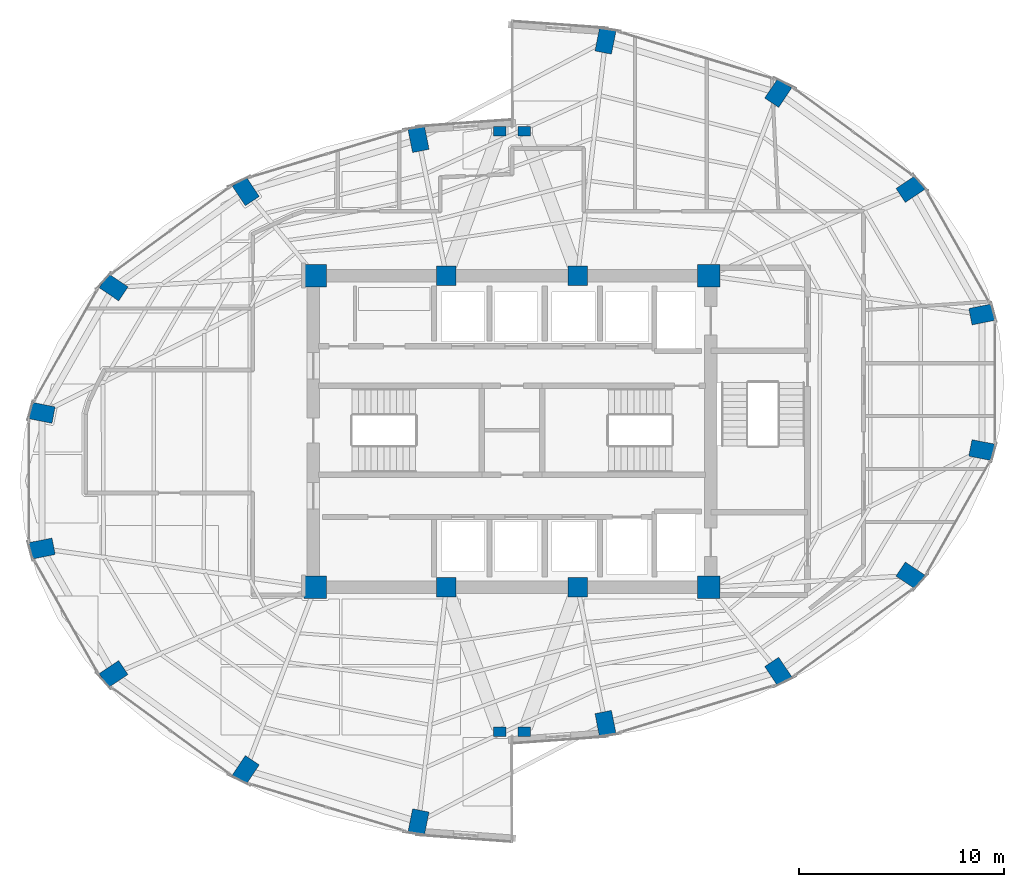
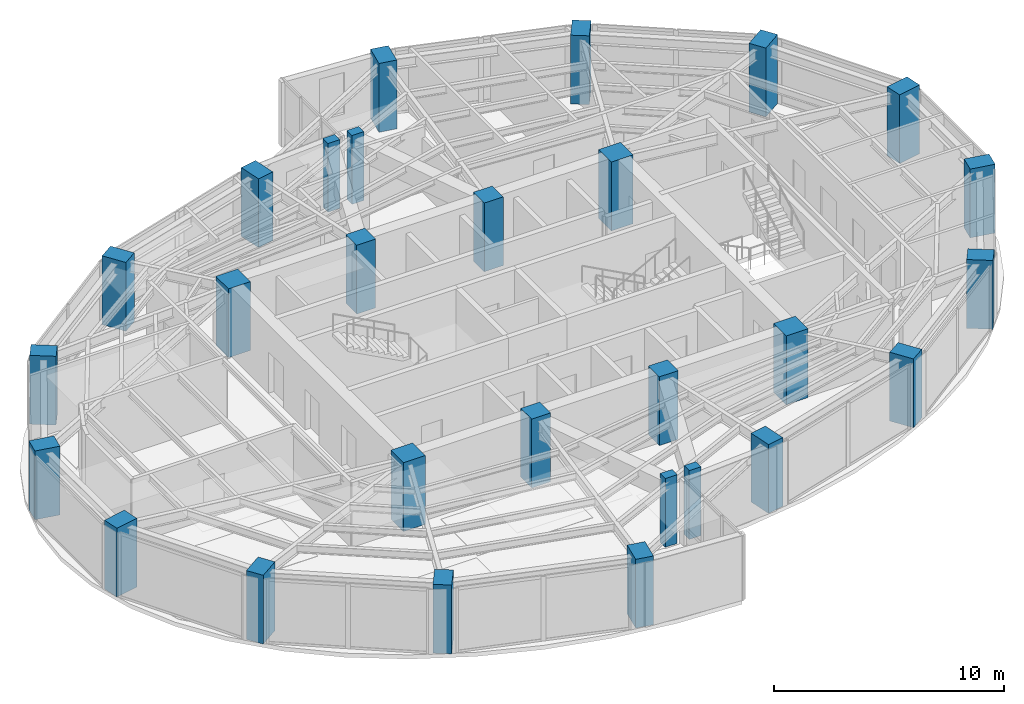
# One storey, part 1 of 20: 28 columns.
"""IFC4 building model written with IfcOpenShell, lengths in metres."""

from ifc_helpers import new_model, si_unit, direction, frame, origin, origin_2d, place, context, subcontext, project, spatial, rectangle, extrude, material, material_profile, profile_set, type_object, element, save


model = new_model("IFC4")

# Units and contexts
model_context = context("Model", 3, precision=1e-05, world=origin(), true_north=direction((0.0, 1.0)))
body_context = subcontext(model_context, "Body", "Model", "MODEL_VIEW")
ifc_project = project(units=[si_unit("LENGTHUNIT", "METRE"), si_unit("AREAUNIT", "SQUARE_METRE"), si_unit("VOLUMEUNIT", "CUBIC_METRE"), si_unit("PLANEANGLEUNIT", "RADIAN"), si_unit("MASSUNIT", "GRAM", prefix="KILO")], contexts=[model_context])

# Site, building, storey
site_placement = place(None, origin())
site = spatial("IfcSite", under=ifc_project, at=site_placement, CompositionType="ELEMENT")
building_placement = place(site_placement, origin())
building = spatial("IfcBuilding", under=site, at=building_placement, Name="Lazwardi Medical Tower", CompositionType="ELEMENT")
storey_placement = place(building_placement, frame((0.0, 0.0, 156.528076171875)))
storey = spatial("IfcBuildingStorey", under=building, at=storey_placement, Name="L40", CompositionType="ELEMENT", Elevation=156.528076171875)

# Columns
ifc_material_1 = material(Name="Concrete C80/95", Category="concrete")
ifc_material_profile_1 = material_profile(ifc_material_1, rectangle(XDim=1.10009765625, YDim=1.10009765625, at=origin_2d()), Name="RC 1100x1100")
ifc_profile_set_1 = profile_set([ifc_material_profile_1], Name="Concrete C80/95")
column_type_1 = type_object("IfcColumnType", Name="COL-CC-L", PredefinedType="COLUMN", material=ifc_profile_set_1)
for number, where, z_axis, x_axis, name in (
    (1, (26.39990234375, 20.39990234375, 0.0), (0.0, 0.0, 1.0), (1.0, 0.0, 0.0), "Core column CC-01 CC1 L40"),
    (2, (45.60009765625, 20.39990234375, 0.0), (0.0, 0.0, 1.0), (1.0, 0.0, 0.0), "Core column CC-01 CC4 L40"),
    (3, (45.60009765625, 35.60009765625, 0.0), (0.0, 0.0, 1.0), (1.0, 0.0, 0.0), "Core column CC-01 CC5 L40"),
    (4, (26.39990234375, 35.60009765625, 0.0), (0.0, 0.0, 1.0), (1.0, 0.0, 0.0), "Core column CC-01 CC8 L40"),
):
    element("IfcColumn", number, at=place(storey_placement, frame(where, z_axis=z_axis, x_axis=x_axis)), inside=storey, type_object=column_type_1, Name=name, PredefinedType="COLUMN", context=body_context, shape_type="SweptSolid", body=[
        extrude(rectangle(XDim=1.10009765625, YDim=1.10009765625, at=origin_2d()), origin(), (0.0, 0.0, 1.0), 3.64794921875),
    ])
ifc_material_2 = material(Name="Concrete C70/85", Category="concrete")
ifc_material_profile_2 = material_profile(ifc_material_2, rectangle(XDim=0.949951171875, YDim=0.949951171875, at=origin_2d()), Name="RC 950x950")
ifc_profile_set_2 = profile_set([ifc_material_profile_2], Name="Concrete C70/85")
column_type_2 = type_object("IfcColumnType", Name="COL-CC-M", PredefinedType="COLUMN", material=ifc_profile_set_2)
for number, where, z_axis, x_axis, name in (
    (5, (32.800048828125, 20.39990234375, 0.0), (0.0, 0.0, 1.0), (1.0, 0.0, 0.0), "Core column CC-02 CC2 L40"),
    (6, (39.199951171875, 20.39990234375, 0.0), (0.0, 0.0, 1.0), (1.0, 0.0, 0.0), "Core column CC-02 CC3 L40"),
    (7, (39.199951171875, 35.60009765625, 0.0), (0.0, 0.0, 1.0), (1.0, 0.0, 0.0), "Core column CC-02 CC6 L40"),
    (8, (32.800048828125, 35.60009765625, 0.0), (0.0, 0.0, 1.0), (1.0, 0.0, 0.0), "Core column CC-02 CC7 L40"),
):
    element("IfcColumn", number, at=place(storey_placement, frame(where, z_axis=z_axis, x_axis=x_axis)), inside=storey, type_object=column_type_2, Name=name, PredefinedType="COLUMN", context=body_context, shape_type="SweptSolid", body=[
        extrude(rectangle(XDim=0.949951171875, YDim=0.949951171875, at=origin_2d()), origin(), (0.0, 0.0, 1.0), 3.64794921875),
    ])
ifc_material_3 = material(Name="Concrete C60/75", Category="concrete")
ifc_material_profile_3 = material_profile(ifc_material_3, rectangle(XDim=1.14990234375, YDim=0.820068359375, at=origin_2d()), Name="CFT-RECT 1150x820")
ifc_profile_set_3 = profile_set([ifc_material_profile_3], Name="Concrete C60/75")
column_type_3 = type_object("IfcColumnType", Name="COL-MC-Z3", PredefinedType="COLUMN", material=ifc_profile_set_3)
for number, where, z_axis, x_axis, name in (
    (9, (40.560302734375, 13.751220703125, 0.0), (0.0, 0.0, 1.0), (0.195090322016, -0.980785280403, 0.0), "Mega column MC-05 M01 L40"),
    (10, (48.986572265625, 16.285888671875, 0.0), (0.0, 0.0, 1.0), (0.55557023302, -0.831469612303, 0.0), "Mega column MC-05 M02 L40"),
    (11, (55.435546875, 20.96923828125, 0.0), (0.0, 0.0, 1.0), (0.831469612303, -0.55557023302, 0.0), "Mega column MC-05 M03 L40"),
    (12, (58.92578125, 27.08837890625, 0.0), (0.0, 0.0, 1.0), (0.980785280403, -0.195090322016, 0.0), "Mega column MC-05 M04 L40"),
    (13, (58.92578125, 33.711669921875, 0.0), (0.0, 0.0, 1.0), (0.980785280403, 0.195090322016, 0.0), "Mega column MC-05 M05 L40"),
    (14, (55.435546875, 39.830810546875, 0.0), (0.0, 0.0, 1.0), (0.831469612303, 0.55557023302, 0.0), "Mega column MC-05 M06 L40"),
    (15, (48.986572265625, 44.51416015625, 0.0), (0.0, 0.0, 1.0), (0.55557023302, 0.831469612303, 0.0), "Mega column MC-05 M07 L40"),
    (16, (40.560302734375, 47.048828125, 0.0), (0.0, 0.0, 1.0), (0.195090322016, 0.980785280403, 0.0), "Mega column MC-05 M08 L40"),
    (17, (31.439697265625, 42.248779296875, 0.0), (0.0, 0.0, 1.0), (-0.195090322016, 0.980785280403, 0.0), "Mega column MC-05 M09 L40"),
    (18, (23.013427734375, 39.714111328125, 0.0), (0.0, 0.0, 1.0), (-0.55557023302, 0.831469612303, 0.0), "Mega column MC-05 M10 L40"),
    (19, (16.564453125, 35.03076171875, 0.0), (0.0, 0.0, 1.0), (-0.831469612303, 0.55557023302, 0.0), "Mega column MC-05 M11 L40"),
    (20, (13.07421875, 28.91162109375, 0.0), (0.0, 0.0, 1.0), (-0.980785280403, 0.195090322016, 0.0), "Mega column MC-05 M12 L40"),
    (21, (13.07421875, 22.288330078125, 0.0), (0.0, 0.0, 1.0), (-0.980785280403, -0.195090322016, 0.0), "Mega column MC-05 M13 L40"),
    (22, (16.564453125, 16.169189453125, 0.0), (0.0, 0.0, 1.0), (-0.831469612303, -0.55557023302, 0.0), "Mega column MC-05 M14 L40"),
    (23, (23.013427734375, 11.48583984375, 0.0), (0.0, 0.0, 1.0), (-0.55557023302, -0.831469612303, 0.0), "Mega column MC-05 M15 L40"),
    (24, (31.439697265625, 8.951171875, 0.0), (0.0, 0.0, 1.0), (-0.195090322016, -0.980785280403, 0.0), "Mega column MC-05 M16 L40"),
):
    element("IfcColumn", number, at=place(storey_placement, frame(where, z_axis=z_axis, x_axis=x_axis)), inside=storey, type_object=column_type_3, Name=name, PredefinedType="COLUMN", context=body_context, shape_type="SweptSolid", body=[
        extrude(rectangle(XDim=1.14990234375, YDim=0.820068359375, at=origin_2d()), origin(), (0.0, 0.0, 1.0), 3.64794921875),
    ])
ifc_material_profile_4 = material_profile(ifc_material_3, rectangle(XDim=0.60009765625, YDim=0.449951171875, at=origin_2d()), Name="RC 600x450")
ifc_profile_set_4 = profile_set([ifc_material_profile_4], Name="Concrete C60/75")
column_type_4 = type_object("IfcColumnType", Name="COL-PL-IW", PredefinedType="PILASTER", material=ifc_profile_set_4)
for number, where, z_axis, x_axis, name in (
    (25, (35.39990234375, 42.64990234375, 0.0), (0.0, 0.0, 1.0), (1.0, 0.0, 0.0), "Iwan pilaster column PL-C1 PL1 L40"),
    (26, (36.60009765625, 42.64990234375, 0.0), (0.0, 0.0, 1.0), (1.0, 0.0, 0.0), "Iwan pilaster column PL-C1 PL2 L40"),
    (27, (35.39990234375, 13.35009765625, 0.0), (0.0, 0.0, 1.0), (1.0, 0.0, 0.0), "Iwan pilaster column PL-C1 PL3 L40"),
    (28, (36.60009765625, 13.35009765625, 0.0), (0.0, 0.0, 1.0), (1.0, 0.0, 0.0), "Iwan pilaster column PL-C1 PL4 L40"),
):
    element("IfcColumn", number, at=place(storey_placement, frame(where, z_axis=z_axis, x_axis=x_axis)), inside=storey, type_object=column_type_4, Name=name, PredefinedType="PILASTER", context=body_context, shape_type="SweptSolid", body=[
        extrude(rectangle(XDim=0.60009765625, YDim=0.449951171875, at=origin_2d()), origin(), (0.0, 0.0, 1.0), 3.64794921875),
    ])

save(model, "model.ifc")
